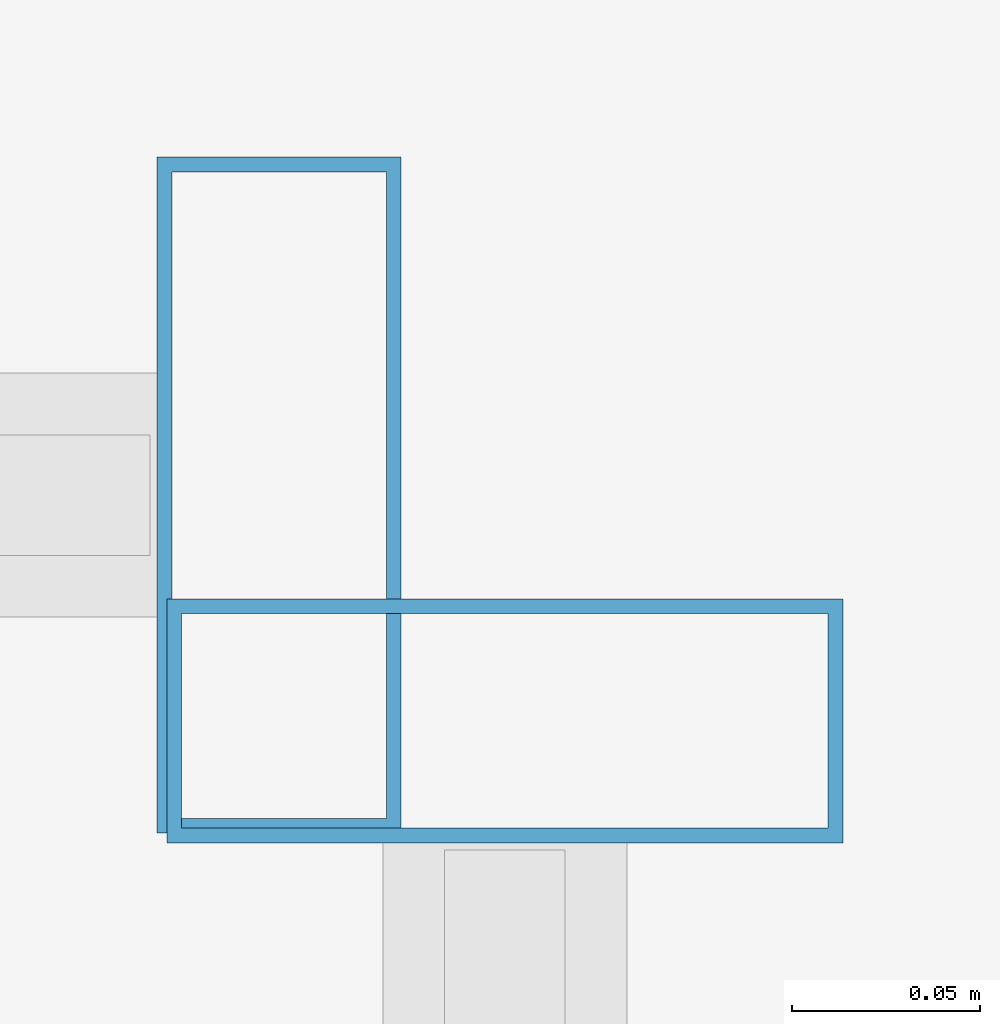
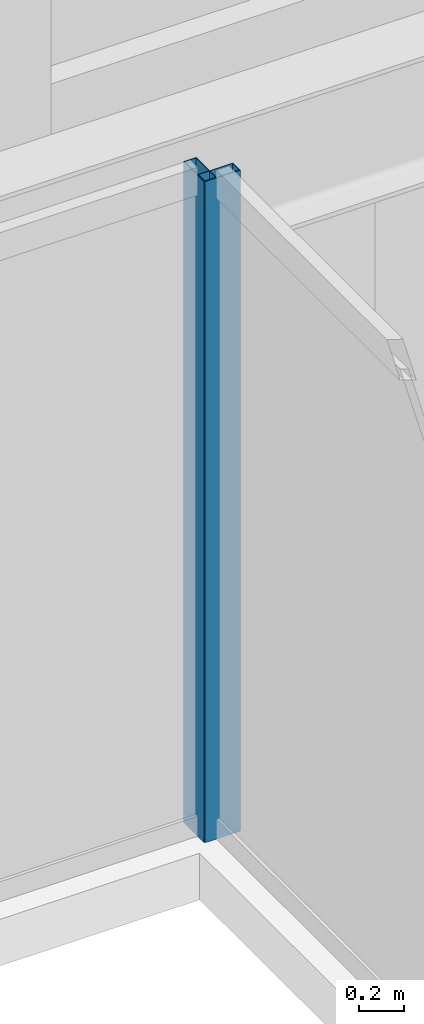
# One storey, part 13 of 37: 2 members, 2 elements without a shape of their own.
"""IFC4 building model written with IfcOpenShell, lengths in metres."""

from ifc_helpers import new_model, si_unit, direction, frame, origin, origin_2d, place, context, subcontext, project, spatial, hollow_rectangle, extrude, material, material_profile, profile_set, type_object, element, aggregate, save


model = new_model("IFC4")

# Units and contexts
model_context = context("Model", 3, precision=1e-05, world=origin(), true_north=direction((0.0, 1.0)))
body_context = subcontext(model_context, "Body", "Model", "MODEL_VIEW")
ifc_project = project(units=[si_unit("LENGTHUNIT", "METRE"), si_unit("AREAUNIT", "SQUARE_METRE"), si_unit("VOLUMEUNIT", "CUBIC_METRE"), si_unit("PLANEANGLEUNIT", "RADIAN"), si_unit("MASSUNIT", "GRAM", prefix="KILO")], contexts=[model_context])

# Site, building, storey
site_placement = place(None, origin())
site = spatial("IfcSite", under=ifc_project, at=site_placement, CompositionType="ELEMENT")
building_placement = place(site_placement, origin())
building = spatial("IfcBuilding", under=site, at=building_placement, Name="Saevonmaru Cultural Tower", CompositionType="ELEMENT")
storey_placement = place(building_placement, frame((0.0, 0.0, 144.800048828125)))
storey = spatial("IfcBuildingStorey", under=building, at=storey_placement, Name="L31", CompositionType="ELEMENT", Elevation=144.800048828125)

# Curtain wall, member
ifc_material = material(Name="Satin Bronze Anodised Aluminium", Category="aluminium")
curtain_wall_type = type_object("IfcCurtainWallType", Name="CW-ATR-GLZ", PredefinedType="NOTDEFINED", material=ifc_material)
curtain_wall_1_placement = place(storey_placement, origin())
curtain_wall_1 = element("IfcCurtainWall", 1, at=curtain_wall_1_placement, inside=storey, type_object=curtain_wall_type, Name="L31 Vertical Atrium Glazed Smoke Screen 2", PredefinedType="NOTDEFINED")
ifc_material_profile = material_profile(ifc_material, hollow_rectangle(XDim=0.06494140625, YDim=0.179931640625, WallThickness=0.00390625, at=origin_2d()), Name="ALU-MULL-180x65x4")
ifc_profile_set = profile_set([ifc_material_profile], Name="Satin Bronze Anodised Aluminium")
member_type = type_object("IfcMemberType", Name="ML-CW-INT-180x65", PredefinedType="MULLION", material=ifc_profile_set)
member_1_placement = place(storey_placement, frame((35.949951171875, 37.25, 0.0), z_axis=(0.0, 0.0, 1.0), x_axis=(0.0, 1.0, 0.0)))
member_1 = element("IfcMember", 2, at=member_1_placement, type_object=member_type, Name="CW-ATR-L31-2 mullion 2", PredefinedType="MULLION", context=body_context, shape_type="SweptSolid", body=[
    extrude(hollow_rectangle(XDim=0.06494140625, YDim=0.179931640625, WallThickness=0.00390625, at=origin_2d()), origin(), (0.0, 0.0, 1.0), 3.550048828125),
])
aggregate(curtain_wall_1, [member_1])

curtain_wall_2_placement = place(storey_placement, origin())
curtain_wall_2 = element("IfcCurtainWall", 3, at=curtain_wall_2_placement, inside=storey, type_object=curtain_wall_type, Name="L31 Vertical Atrium Glazed Smoke Screen 3", PredefinedType="NOTDEFINED")
member_2_placement = place(storey_placement, frame((35.889892578125, 37.31005859375, 0.0), z_axis=(0.0, 0.0, 1.0), x_axis=(-1.0, 0.0, 0.0)))
member_2 = element("IfcMember", 4, at=member_2_placement, type_object=member_type, Name="CW-ATR-L31-3 mullion 1", PredefinedType="MULLION", context=body_context, shape_type="SweptSolid", body=[
    extrude(hollow_rectangle(XDim=0.06494140625, YDim=0.179931640625, WallThickness=0.00390625, at=origin_2d()), origin(), (0.0, 0.0, 1.0), 3.550048828125),
])
aggregate(curtain_wall_2, [member_2])

save(model, "model.ifc")
